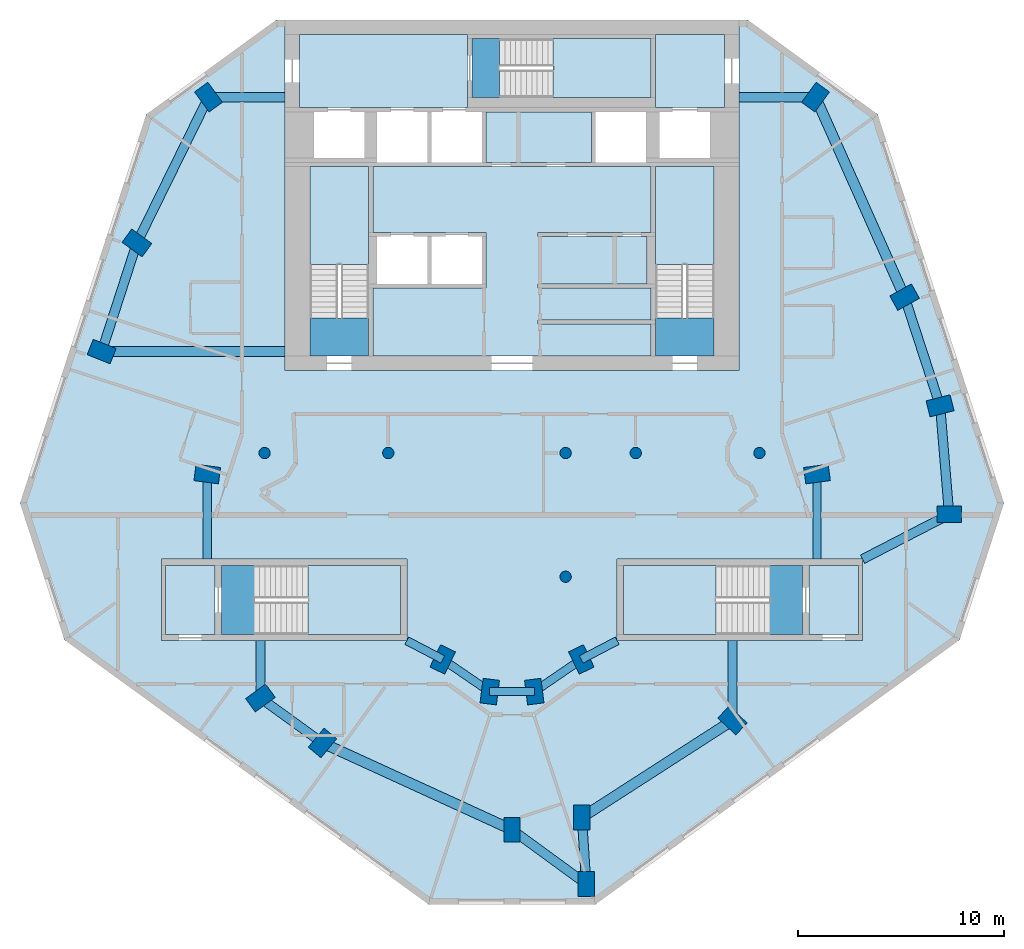
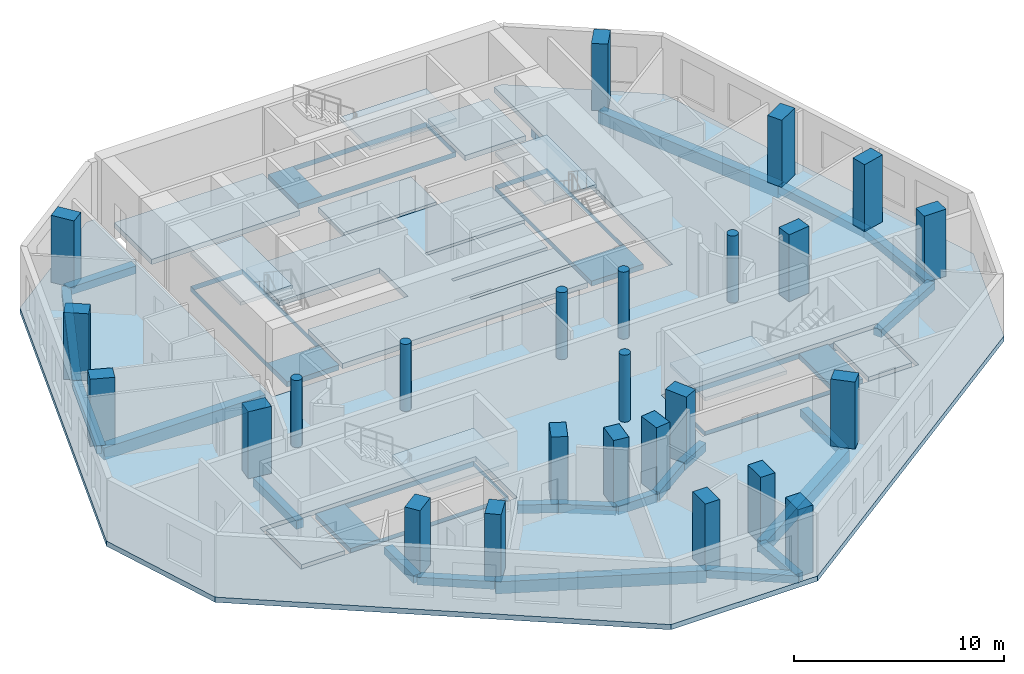
# One storey, part 1 of 9: 25 columns, 23 beams, 17 slabs, 5 elements without a shape of their own.
"""IFC4 building model written with IfcOpenShell, lengths in metres."""

import ifcopenshell
import ifcopenshell.guid

model = None  # the IFC model being written
_history = None  # IfcOwnerHistory: only IFC2X3 demands one
_inside = {}  # id of a spatial element -> (the spatial element, [elements in it])
_under = {}  # id of a project, library or spatial element -> (it, [spatial elements below it])
_declared = {}  # id of a project -> (the project, [libraries it declares])
_typed = {}  # id of a type object -> (the type object, [elements of that type])
_made_of = {}  # id of a material, layer set ... -> (it, [elements and type objects made of it])


def new_model(schema):
    """Start an empty IFC model of exactly this schema.

    Asked for "IFC4X3", IfcOpenShell would pick the latest addendum, in which some entities
    have other attributes; the version numbers below select the first issue.
    IFC2X3 requires an IfcOwnerHistory on every rooted entity: one is made here for all.
    """
    global model, _history
    if schema == "IFC4X3":
        model = ifcopenshell.file(schema_version=(4, 3, 0, 0))
    else:
        model = ifcopenshell.file(schema=schema)
    _inside.clear()
    _under.clear()
    _declared.clear()
    _typed.clear()
    _made_of.clear()
    _history = None
    if model.schema == "IFC2X3":
        org = make("IfcOrganization", Name="unknown")
        user = make(
            "IfcPersonAndOrganization",
            ThePerson=make("IfcPerson", FamilyName="unknown"),
            TheOrganization=org,
        )
        app = make(
            "IfcApplication",
            ApplicationDeveloper=org,
            Version="unknown",
            ApplicationFullName="unknown",
            ApplicationIdentifier="unknown",
        )
        _history = make(
            "IfcOwnerHistory",
            OwningUser=user,
            OwningApplication=app,
            ChangeAction="ADDED",
            CreationDate=0,
        )
    return model


def make(cls, **values):
    """One entity of the class cls with the attributes given. An attribute that is None is left unset."""
    return model.create_entity(
        cls, **{name: value for name, value in values.items() if value is not None}
    )


def rooted(cls, **values):
    """An entity with a GlobalId (a new one), such as an element, a storey or a relation."""
    return make(cls, GlobalId=ifcopenshell.guid.new(), OwnerHistory=_history, **values)


def si_unit(unit_type, name, prefix=None):
    """IfcSIUnit, for example si_unit("LENGTHUNIT", "METRE", prefix="MILLI")."""
    return make("IfcSIUnit", UnitType=unit_type, Prefix=prefix, Name=name)


def assignment(units):
    """IfcUnitAssignment: the units of a project."""
    return None if units is None else make("IfcUnitAssignment", Units=units)


def point(xyz):
    """IfcCartesianPoint."""
    return None if xyz is None else make("IfcCartesianPoint", Coordinates=xyz)


def direction(xyz):
    """IfcDirection."""
    return None if xyz is None else make("IfcDirection", DirectionRatios=xyz)


def frame(location, z_axis=None, x_axis=None):
    """IfcAxis2Placement3D, a coordinate frame: its origin and axes. An axis left out is left unset."""
    return make(
        "IfcAxis2Placement3D",
        Location=point(location),
        Axis=direction(z_axis),
        RefDirection=direction(x_axis),
    )


def frame_2d(location, x_axis=None):
    """IfcAxis2Placement2D, a coordinate frame in the plane: its origin and x axis."""
    return make(
        "IfcAxis2Placement2D", Location=point(location), RefDirection=direction(x_axis)
    )


def origin():
    """The frame at (0, 0, 0) with its axes left unset."""
    return frame((0.0, 0.0, 0.0))


def origin_2d():
    """The frame at (0, 0) in the plane with its x axis left unset."""
    return frame_2d((0.0, 0.0))


def place(relative_to, where):
    """IfcLocalPlacement: puts the frame where relative to a parent placement (None: the world)."""
    return make(
        "IfcLocalPlacement", PlacementRelTo=relative_to, RelativePlacement=where
    )


def context(
    kind, dimensions, precision=None, world=None, true_north=None, identifier=None
):
    """IfcGeometricRepresentationContext, for example the 3D "Model" context."""
    return make(
        "IfcGeometricRepresentationContext",
        ContextIdentifier=identifier,
        ContextType=kind,
        CoordinateSpaceDimension=dimensions,
        Precision=precision,
        WorldCoordinateSystem=world,
        TrueNorth=true_north,
    )


def subcontext(parent, identifier, kind, view, scale=None):
    """IfcGeometricRepresentationSubContext, for example "Body" below "Model"."""
    return make(
        "IfcGeometricRepresentationSubContext",
        ContextIdentifier=identifier,
        ContextType=kind,
        ParentContext=parent,
        TargetScale=scale,
        TargetView=view,
    )


def project(units=None, contexts=None):
    """IfcProject with its units and contexts."""
    return rooted(
        "IfcProject",
        Name="project",
        RepresentationContexts=contexts,
        UnitsInContext=assignment(units),
    )


def spatial(cls, under=None, at=None, **own):
    """A site, building, storey or space (cls), placed at a placement, below another one or the project."""
    s = rooted(cls, ObjectPlacement=at, **own)
    if under is not None:
        _under.setdefault(under.id(), (under, []))[1].append(s)
    return s


def polyline(points):
    """IfcPolyline through the points."""
    return make("IfcPolyline", Points=[point(p) for p in points])


def profile(cls, at=None, kind="AREA", **sizes):
    """A parametric profile (cls). Its sizes go by their IFC names, for example OverallWidth=200.0."""
    return make(cls, ProfileType=kind, Position=at, **sizes)


def rectangle(**sizes):
    """IfcRectangleProfileDef."""
    return profile("IfcRectangleProfileDef", **sizes)


def circle(**sizes):
    """IfcCircleProfileDef."""
    return profile("IfcCircleProfileDef", **sizes)


def outline(outer, holes=None, kind="AREA"):
    """IfcArbitraryClosedProfileDef: a profile drawn as a closed curve; with holes, ...WithVoids."""
    if holes is None:
        return make("IfcArbitraryClosedProfileDef", ProfileType=kind, OuterCurve=outer)
    return make(
        "IfcArbitraryProfileDefWithVoids",
        ProfileType=kind,
        OuterCurve=outer,
        InnerCurves=holes,
    )


def extrude(swept, where, along, depth):
    """IfcExtrudedAreaSolid: the profile swept, set in the frame where, extruded along a direction by depth."""
    return make(
        "IfcExtrudedAreaSolid",
        SweptArea=swept,
        Position=where,
        ExtrudedDirection=direction(along),
        Depth=depth,
    )


def shape(context_of_items, identifier, shape_type, items):
    """IfcShapeRepresentation: the items that make up one representation, for example the "Body"."""
    return make(
        "IfcShapeRepresentation",
        ContextOfItems=context_of_items,
        RepresentationIdentifier=identifier,
        RepresentationType=shape_type,
        Items=items,
    )


def material(Name=None, Category=None):
    """IfcMaterial."""
    return make("IfcMaterial", Name=Name, Category=Category)


def layer(
    of_material, thickness, ventilated=None, Name=None, Category=None, Priority=None
):
    """IfcMaterialLayer: one layer of a wall or slab, of a material (None: an air gap)."""
    return make(
        "IfcMaterialLayer",
        Material=of_material,
        LayerThickness=thickness,
        IsVentilated=ventilated,
        Name=Name,
        Category=Category,
        Priority=Priority,
    )


def layer_set(layers, Name=None):
    """IfcMaterialLayerSet."""
    return make("IfcMaterialLayerSet", MaterialLayers=layers, LayerSetName=Name)


def material_profile(
    of_material, cross_section, Name=None, Category=None, Priority=None
):
    """IfcMaterialProfile: a cross section and its material."""
    return make(
        "IfcMaterialProfile",
        Name=Name,
        Material=of_material,
        Profile=cross_section,
        Priority=Priority,
        Category=Category,
    )


def profile_set(profiles, Name=None, composite=None):
    """IfcMaterialProfileSet."""
    return make(
        "IfcMaterialProfileSet",
        Name=Name,
        MaterialProfiles=profiles,
        CompositeProfile=composite,
    )


def made_of(thing, what):
    """Note that an element or type object is made of a material, layer set ...; save() writes the relation."""
    if what is not None:
        _made_of.setdefault(what.id(), (what, []))[1].append(thing)
    return thing


def type_object(cls, material=None, **own):
    """A type object (cls), such as IfcWallType, which elements share."""
    return made_of(rooted(cls, **own), material)


def element(
    cls,
    number,
    at=None,
    inside=None,
    cuts=None,
    type_object=None,
    material=None,
    context=None,
    identifier="Body",
    shape_type=None,
    held_by="IfcProductDefinitionShape",
    body=None,
    shapes=None,
    **own,
):
    """One element of the class cls, such as IfcWall. Its Tag is "e" and its number.

    at: its placement. inside: the storey or other place that contains it. cuts: it is an
    opening in that element (IfcRelVoidsElement). A single representation is given by context,
    identifier, shape_type and body (its items); several are given by shapes. held_by: the class
    of the entity that holds the representations. save() writes the other relations.
    """
    e = rooted(cls, Tag="e%d" % number, ObjectPlacement=at, **own)
    if body is not None:
        shapes = [shape(context, identifier, shape_type, body)]
    if shapes is not None:
        e.Representation = make(held_by, Representations=shapes)
    if inside is not None:
        _inside.setdefault(inside.id(), (inside, []))[1].append(e)
    if cuts is not None:
        rooted(
            "IfcRelVoidsElement", RelatingBuildingElement=cuts, RelatedOpeningElement=e
        )
    if type_object is not None:
        _typed.setdefault(type_object.id(), (type_object, []))[1].append(e)
    return made_of(e, material)


def aggregate(whole, parts):
    """IfcRelAggregates: a whole, such as a stair, and the parts it consists of."""
    return rooted("IfcRelAggregates", RelatingObject=whole, RelatedObjects=parts)


def save(model, path):
    """Write the relations noted so far, then the file.

    IfcRelAggregates (storeys below a building ...), IfcRelContainedInSpatialStructure (elements
    in a storey), IfcRelDefinesByType, IfcRelAssociatesMaterial and IfcRelDeclares: one each for
    every whole, place, type object, material and project.
    """
    for whole, parts in _under.values():
        aggregate(whole, parts)
    for where, things in _inside.values():
        rooted(
            "IfcRelContainedInSpatialStructure",
            RelatedElements=things,
            RelatingStructure=where,
        )
    for kind, things in _typed.values():
        rooted("IfcRelDefinesByType", RelatedObjects=things, RelatingType=kind)
    for what, things in _made_of.values():
        rooted("IfcRelAssociatesMaterial", RelatedObjects=things, RelatingMaterial=what)
    for by, libraries in _declared.values():
        rooted("IfcRelDeclares", RelatingContext=by, RelatedDefinitions=libraries)
    model.write(path)


model = new_model("IFC4")

# Units and contexts
model_context = context("Model", 3, precision=1e-05, world=origin(), true_north=direction((0.0, 1.0)))
body_context = subcontext(model_context, "Body", "Model", "MODEL_VIEW")
ifc_project = project(units=[si_unit("LENGTHUNIT", "METRE"), si_unit("AREAUNIT", "SQUARE_METRE"), si_unit("VOLUMEUNIT", "CUBIC_METRE"), si_unit("PLANEANGLEUNIT", "RADIAN"), si_unit("MASSUNIT", "GRAM", prefix="KILO")], contexts=[model_context])

# Site, building, storey
site_placement = place(None, origin())
site = spatial("IfcSite", under=ifc_project, at=site_placement, CompositionType="ELEMENT")
building_placement = place(site_placement, origin())
building = spatial("IfcBuilding", under=site, at=building_placement, Name="White Candle Pilgrim Tower", CompositionType="ELEMENT")
storey_placement = place(building_placement, frame((0.0, 0.0, 252.199951171875)))
storey = spatial("IfcBuildingStorey", under=building, at=storey_placement, Name="L59", CompositionType="ELEMENT", Elevation=252.199951171875)

# Columns
ifc_material_1 = material(Name="Concrete C60/75", Category="concrete")
ifc_material_profile_1 = material_profile(ifc_material_1, circle(Radius=0.27490234375, at=origin_2d()), Name="RC-COL D550")
ifc_profile_set_1 = profile_set([ifc_material_profile_1], Name="Concrete C60/75")
column_type_1 = type_object("IfcColumnType", Name="Interior column RC-COL D550 C60/75", PredefinedType="COLUMN", material=ifc_profile_set_1)
for number, where, z_axis, x_axis, name in (
    (1, (58.0, 67.0, 0.0), (0.0, 0.0, 1.0), (1.0, 0.0, 0.0), "L59 column I01"),
    (2, (64.0, 67.0, 0.0), (0.0, 0.0, 1.0), (1.0, 0.0, 0.0), "L59 column I02"),
    (3, (72.60009765625, 61.0, 0.0), (0.0, 0.0, 1.0), (1.0, 0.0, 0.0), "L59 column I03"),
    (4, (72.60009765625, 67.0, 0.0), (0.0, 0.0, 1.0), (1.0, 0.0, 0.0), "L59 column I04"),
    (5, (76.0, 67.0, 0.0), (0.0, 0.0, 1.0), (1.0, 0.0, 0.0), "L59 column I05"),
    (6, (82.0, 67.0, 0.0), (0.0, 0.0, 1.0), (1.0, 0.0, 0.0), "L59 column I06"),
):
    element("IfcColumn", number, at=place(storey_placement, frame(where, z_axis=z_axis, x_axis=x_axis)), inside=storey, type_object=column_type_1, Name=name, PredefinedType="COLUMN", context=body_context, shape_type="SweptSolid", body=[
        extrude(circle(Radius=0.27490234375, at=origin_2d()), origin(), (0.0, 0.0, 1.0), 3.900146484375),
    ])
ifc_material_profile_2 = material_profile(ifc_material_1, rectangle(XDim=0.800048828125, YDim=1.199951171875, at=origin_2d()), Name="RC-PR 800x1200")
ifc_profile_set_2 = profile_set([ifc_material_profile_2], Name="Concrete C60/75")
column_type_2 = type_object("IfcColumnType", Name="Perimeter column RC-PR 800x1200 C60/75", PredefinedType="COLUMN", material=ifc_profile_set_2)
for number, where, z_axis, x_axis, name in (
    (7, (57.800048828125, 55.1201171875, 0.0), (0.0, 0.0, 1.0), (-0.58846280644, 0.808524288711, 0.0), "L59 column T01"),
    (8, (60.81005859375, 52.93994140625, 0.0), (0.0, 0.0, 1.0), (-0.769310358735, 0.638875239733, 0.0), "L59 column T02"),
    (9, (70.0, 48.72998046875, 0.0), (0.0, 0.0, 1.0), (-1.0, 0.0, 0.0), "L59 column T03"),
    (10, (73.60009765625, 46.10009765625, 0.0), (0.0, 0.0, 1.0), (-1.0, 0.0, 0.0), "L59 column T04"),
    (11, (73.389892578125, 49.330078125, 0.0), (0.0, 0.0, 1.0), (-1.0, 0.0, 0.0), "L59 column T05"),
    (12, (80.68994140625, 54.030029296875, 0.0), (0.0, 0.0, 1.0), (-0.681998360062, -0.731353701619, 0.0), "L59 column T06"),
    (13, (91.199951171875, 64.02001953125, 0.0), (0.0, 0.0, 1.0), (0.000855211229, -0.999999634307, 0.0), "L59 column T07"),
    (14, (90.760009765625, 69.2900390625, 0.0), (0.0, 0.0, 1.0), (0.246880623275, -0.969045900797, 0.0), "L59 column T08"),
    (15, (89.0400390625, 74.56005859375, 0.0), (0.0, 0.0, 1.0), (0.484809620246, -0.874619707139, 0.0), "L59 column T09"),
    (16, (84.719970703125, 84.260009765625, 0.0), (0.0, 0.0, 1.0), (0.80902725304, -0.587771132193, 0.0), "L59 column T10"),
    (17, (55.280029296875, 84.260009765625, 0.0), (0.0, 0.0, 1.0), (0.80902725304, 0.587771132193, 0.0), "L59 column T11"),
    (18, (51.81005859375, 77.18994140625, 0.0), (0.0, 0.0, 1.0), (0.587107285614, 0.809509132239, 0.0), "L59 column T12"),
    (19, (50.10009765625, 71.919921875, 0.0), (0.0, 0.0, 1.0), (0.369860269472, 0.929087391512, 0.0), "L59 column T13"),
):
    element("IfcColumn", number, at=place(storey_placement, frame(where, z_axis=z_axis, x_axis=x_axis)), inside=storey, type_object=column_type_2, Name=name, PredefinedType="COLUMN", context=body_context, shape_type="SweptSolid", body=[
        extrude(rectangle(XDim=0.800048828125, YDim=1.199951171875, at=origin_2d()), origin(), (0.0, 0.0, 1.0), 3.900146484375),
    ])
ifc_material_profile_3 = material_profile(ifc_material_1, rectangle(XDim=0.800048828125, YDim=1.199951171875, at=origin_2d()), Name="RC-PR 800x1200")
ifc_profile_set_3 = profile_set([ifc_material_profile_3], Name="Concrete C60/75")
column_type_3 = type_object("IfcColumnType", Name="Ring column RC-PR 800x1200 C60/75", PredefinedType="COLUMN", material=ifc_profile_set_3)
for number, where, z_axis, x_axis, name in (
    (20, (66.639892578125, 56.989990234375, 0.0), (0.0, 0.0, 1.0), (-0.901689191761, 0.43238478403, 0.0), "L59 column R01"),
    (21, (68.919921875, 55.429931640625, 0.0), (0.0, 0.0, 1.0), (-0.992092811428, 0.125506388335, 0.0), "L59 column R02"),
    (22, (71.080078125, 55.429931640625, 0.0), (0.0, 0.0, 1.0), (-0.992092811428, -0.125506388335, 0.0), "L59 column R03"),
    (23, (73.360107421875, 56.989990234375, 0.0), (0.0, 0.0, 1.0), (-0.901689191761, -0.43238478403, 0.0), "L59 column R04"),
    (24, (84.7900390625, 65.97998046875, 0.0), (0.0, 0.0, 1.0), (0.132602381688, -0.991169313675, 0.0), "L59 column R05"),
    (25, (55.219970703125, 65.97998046875, 0.0), (0.0, 0.0, 1.0), (0.132602381688, 0.991169313675, 0.0), "L59 column R06"),
):
    element("IfcColumn", number, at=place(storey_placement, frame(where, z_axis=z_axis, x_axis=x_axis)), inside=storey, type_object=column_type_3, Name=name, PredefinedType="COLUMN", context=body_context, shape_type="SweptSolid", body=[
        extrude(rectangle(XDim=0.800048828125, YDim=1.199951171875, at=origin_2d()), origin(), (0.0, 0.0, 1.0), 3.900146484375),
    ])

# Beams
ifc_material_2 = material(Name="Concrete C50/60", Category="concrete")
ifc_material_profile_4 = material_profile(ifc_material_2, rectangle(XDim=0.39990234375, YDim=0.5, at=origin_2d()), Name="RC-BM 400x500")
ifc_profile_set_4 = profile_set([ifc_material_profile_4], Name="Concrete C50/60")
beam_type_1 = type_object("IfcBeamType", Name="Ring beam RC-BM 400x500 C50/60", PredefinedType="BEAM", material=ifc_profile_set_4)
beam_1_placement = place(storey_placement, frame((66.639892578125, 56.989990234375, -0.550048828125), z_axis=(0.825300758392, -0.564693419651, 0.0), x_axis=(0.564693419651, 0.825300758392, 0.0)))
element("IfcBeam", 26, at=beam_1_placement, inside=storey, type_object=beam_type_1, Name="L59 ring beam R01", PredefinedType="BEAM", context=body_context, shape_type="SweptSolid", body=[
    extrude(rectangle(XDim=0.39990234375, YDim=0.5, at=origin_2d()), origin(), (0.0, 0.0, 1.0), 2.7626953125),
])
beam_2_placement = place(storey_placement, frame((68.919921875, 55.429931640625, -0.550048828125), z_axis=(1.0, 0.0, 0.0), x_axis=(0.0, 1.0, 0.0)))
element("IfcBeam", 27, at=beam_2_placement, inside=storey, type_object=beam_type_1, Name="L59 ring beam R02", PredefinedType="BEAM", context=body_context, shape_type="SweptSolid", body=[
    extrude(rectangle(XDim=0.39990234375, YDim=0.5, at=origin_2d()), origin(), (0.0, 0.0, 1.0), 2.16015625),
])
beam_3_placement = place(storey_placement, frame((71.080078125, 55.429931640625, -0.550048828125), z_axis=(0.825300758392, 0.564693419651, 0.0), x_axis=(-0.564693419651, 0.825300758392, 0.0)))
element("IfcBeam", 28, at=beam_3_placement, inside=storey, type_object=beam_type_1, Name="L59 ring beam R03", PredefinedType="BEAM", context=body_context, shape_type="SweptSolid", body=[
    extrude(rectangle(XDim=0.39990234375, YDim=0.5, at=origin_2d()), origin(), (0.0, 0.0, 1.0), 2.7626953125),
])
beam_4_placement = place(storey_placement, frame((73.360107421875, 56.989990234375, -0.550048828125), z_axis=(0.88614770213, 0.463402902461, 0.0), x_axis=(-0.463402902461, 0.88614770213, 0.0)))
element("IfcBeam", 29, at=beam_4_placement, inside=storey, type_object=beam_type_1, Name="L59 ring beam R04", PredefinedType="BEAM", context=body_context, shape_type="SweptSolid", body=[
    extrude(rectangle(XDim=0.39990234375, YDim=0.5, at=origin_2d()), origin(), (0.0, 0.0, 1.0), 1.963623046875),
])
for number, where, z_axis, x_axis, name in (
    (30, (84.7900390625, 65.97998046875, -0.550048828125), (0.0, -1.0, 0.0), (1.0, 0.0, 0.0), "L59 ring beam R05"),
    (31, (55.219970703125, 65.97998046875, -0.550048828125), (0.0, -1.0, 0.0), (1.0, 0.0, 0.0), "L59 ring beam R06"),
):
    element("IfcBeam", number, at=place(storey_placement, frame(where, z_axis=z_axis, x_axis=x_axis)), inside=storey, type_object=beam_type_1, Name=name, PredefinedType="BEAM", context=body_context, shape_type="SweptSolid", body=[
        extrude(rectangle(XDim=0.39990234375, YDim=0.5, at=origin_2d()), origin(), (0.0, 0.0, 1.0), 4.1298828125),
    ])
beam_5_placement = place(storey_placement, frame((66.639892578125, 56.989990234375, -0.550048828125), z_axis=(-0.88614770213, 0.463402902461, 0.0), x_axis=(-0.463402902461, -0.88614770213, 0.0)))
element("IfcBeam", 32, at=beam_5_placement, inside=storey, type_object=beam_type_1, Name="L59 ring beam R07", PredefinedType="BEAM", context=body_context, shape_type="SweptSolid", body=[
    extrude(rectangle(XDim=0.39990234375, YDim=0.5, at=origin_2d()), origin(), (0.0, 0.0, 1.0), 1.963623046875),
])
ifc_material_profile_5 = material_profile(ifc_material_2, rectangle(XDim=0.449951171875, YDim=0.449951171875, at=origin_2d()), Name="RC-BM 450x450")
ifc_profile_set_5 = profile_set([ifc_material_profile_5], Name="Concrete C50/60")
beam_type_2 = type_object("IfcBeamType", Name="Spandrel beam RC-BM 450x450 C50/60", PredefinedType="BEAM", material=ifc_profile_set_5)
beam_6_placement = place(storey_placement, frame((57.800048828125, 55.1201171875, -0.52490234375), z_axis=(0.80987647897, -0.586600450742, 0.0), x_axis=(0.586600450742, 0.80987647897, 0.0)))
element("IfcBeam", 33, at=beam_6_placement, inside=storey, type_object=beam_type_2, Name="L59 spandrel beam T01", PredefinedType="BEAM", context=body_context, shape_type="SweptSolid", body=[
    extrude(rectangle(XDim=0.449951171875, YDim=0.449951171875, at=origin_2d()), origin(), (0.0, 0.0, 1.0), 3.716552734375),
])
beam_7_placement = place(storey_placement, frame((70.0, 48.72998046875, -0.52490234375), z_axis=(0.807493448789, -0.589876538068, 0.0), x_axis=(0.589876538068, 0.807493448789, 0.0)))
element("IfcBeam", 34, at=beam_7_placement, inside=storey, type_object=beam_type_2, Name="L59 spandrel beam T03", PredefinedType="BEAM", context=body_context, shape_type="SweptSolid", body=[
    extrude(rectangle(XDim=0.449951171875, YDim=0.449951171875, at=origin_2d()), origin(), (0.0, 0.0, 1.0), 4.458251953125),
])
beam_8_placement = place(storey_placement, frame((73.60009765625, 46.10009765625, -0.52490234375), z_axis=(-0.064941985221, 0.997889041204, 0.0), x_axis=(-0.997889041204, -0.064941985221, 0.0)))
element("IfcBeam", 35, at=beam_8_placement, inside=storey, type_object=beam_type_2, Name="L59 spandrel beam T04", PredefinedType="BEAM", context=body_context, shape_type="SweptSolid", body=[
    extrude(rectangle(XDim=0.449951171875, YDim=0.449951171875, at=origin_2d()), origin(), (0.0, 0.0, 1.0), 3.23681640625),
])
beam_9_placement = place(storey_placement, frame((80.68994140625, 54.030029296875, -0.52490234375), z_axis=(0.0, 1.0, 0.0), x_axis=(-1.0, 0.0, 0.0)))
element("IfcBeam", 36, at=beam_9_placement, inside=storey, type_object=beam_type_2, Name="L59 spandrel beam T06", PredefinedType="BEAM", context=body_context, shape_type="SweptSolid", body=[
    extrude(rectangle(XDim=0.449951171875, YDim=0.449951171875, at=origin_2d()), origin(), (0.0, 0.0, 1.0), 3.869873046875),
])
beam_10_placement = place(storey_placement, frame((91.199951171875, 64.02001953125, -0.52490234375), z_axis=(-0.888430469958, -0.459011219961, 0.0), x_axis=(0.459011219961, -0.888430469958, 0.0)))
element("IfcBeam", 37, at=beam_10_placement, inside=storey, type_object=beam_type_2, Name="L59 spandrel beam T07", PredefinedType="BEAM", context=body_context, shape_type="SweptSolid", body=[
    extrude(rectangle(XDim=0.449951171875, YDim=0.449951171875, at=origin_2d()), origin(), (0.0, 0.0, 1.0), 4.727294921875),
])
beam_11_placement = place(storey_placement, frame((91.199951171875, 64.02001953125, -0.52490234375), z_axis=(-0.083190662263, 0.996533649062, 0.0), x_axis=(-0.996533649062, -0.083190662263, 0.0)))
element("IfcBeam", 38, at=beam_11_placement, inside=storey, type_object=beam_type_2, Name="L59 spandrel beam T08", PredefinedType="BEAM", context=body_context, shape_type="SweptSolid", body=[
    extrude(rectangle(XDim=0.449951171875, YDim=0.449951171875, at=origin_2d()), origin(), (0.0, 0.0, 1.0), 5.288330078125),
])
beam_12_placement = place(storey_placement, frame((90.760009765625, 69.2900390625, -0.52490234375), z_axis=(-0.310262895274, 0.950650795937, 0.0), x_axis=(-0.950650795937, -0.310262895274, 0.0)))
element("IfcBeam", 39, at=beam_12_placement, inside=storey, type_object=beam_type_2, Name="L59 spandrel beam T09", PredefinedType="BEAM", context=body_context, shape_type="SweptSolid", body=[
    extrude(rectangle(XDim=0.449951171875, YDim=0.449951171875, at=origin_2d()), origin(), (0.0, 0.0, 1.0), 5.543701171875),
])
for number, where, z_axis, x_axis, name in (
    (40, (84.719970703125, 84.260009765625, -0.52490234375), (-1.0, 0.0, 0.0), (0.0, -1.0, 0.0), "L59 spandrel beam T11"),
    (41, (55.280029296875, 84.260009765625, -0.52490234375), (1.0, 0.0, 0.0), (0.0, 1.0, 0.0), "L59 spandrel beam T12"),
):
    element("IfcBeam", number, at=place(storey_placement, frame(where, z_axis=z_axis, x_axis=x_axis)), inside=storey, type_object=beam_type_2, Name=name, PredefinedType="BEAM", context=body_context, shape_type="SweptSolid", body=[
        extrude(rectangle(XDim=0.449951171875, YDim=0.449951171875, at=origin_2d()), origin(), (0.0, 0.0, 1.0), 3.719970703125),
    ])
beam_13_placement = place(storey_placement, frame((55.280029296875, 84.260009765625, -0.52490234375), z_axis=(-0.440592346375, -0.897707293229, 0.0), x_axis=(0.897707293229, -0.440592346375, 0.0)))
element("IfcBeam", 42, at=beam_13_placement, inside=storey, type_object=beam_type_2, Name="L59 spandrel beam T13", PredefinedType="BEAM", context=body_context, shape_type="SweptSolid", body=[
    extrude(rectangle(XDim=0.449951171875, YDim=0.449951171875, at=origin_2d()), origin(), (0.0, 0.0, 1.0), 7.875732421875),
])
beam_14_placement = place(storey_placement, frame((51.81005859375, 77.18994140625, -0.52490234375), z_axis=(-0.308629696049, -0.951182269976, 0.0), x_axis=(0.951182269976, -0.308629696049, 0.0)))
element("IfcBeam", 43, at=beam_14_placement, inside=storey, type_object=beam_type_2, Name="L59 spandrel beam T14", PredefinedType="BEAM", context=body_context, shape_type="SweptSolid", body=[
    extrude(rectangle(XDim=0.449951171875, YDim=0.449951171875, at=origin_2d()), origin(), (0.0, 0.0, 1.0), 5.54052734375),
])
beam_15_placement = place(storey_placement, frame((57.800048828125, 55.1201171875, -0.52490234375), z_axis=(0.0, 1.0, 0.0), x_axis=(-1.0, 0.0, 0.0)))
element("IfcBeam", 44, at=beam_15_placement, inside=storey, type_object=beam_type_2, Name="L59 spandrel beam T16", PredefinedType="BEAM", context=body_context, shape_type="SweptSolid", body=[
    extrude(rectangle(XDim=0.449951171875, YDim=0.449951171875, at=origin_2d()), origin(), (0.0, 0.0, 1.0), 2.77978515625),
])
ifc_material_profile_6 = material_profile(ifc_material_2, rectangle(XDim=0.5, YDim=0.699951171875, at=origin_2d()), Name="RC-BM 500x700")
ifc_profile_set_6 = profile_set([ifc_material_profile_6], Name="Concrete C50/60")
beam_type_3 = type_object("IfcBeamType", Name="Spandrel beam RC-BM 500x700 C50/60", PredefinedType="BEAM", material=ifc_profile_set_6)
beam_16_placement = place(storey_placement, frame((60.81005859375, 52.93994140625, -0.64990234375), z_axis=(0.909143327927, -0.416483384166, 0.0), x_axis=(0.416483384166, 0.909143327927, 0.0)))
element("IfcBeam", 45, at=beam_16_placement, inside=storey, type_object=beam_type_3, Name="L59 spandrel beam T02", PredefinedType="BEAM", context=body_context, shape_type="SweptSolid", body=[
    extrude(rectangle(XDim=0.5, YDim=0.699951171875, at=origin_2d()), origin(), (0.0, 0.0, 1.0), 10.1083984375),
])
beam_17_placement = place(storey_placement, frame((73.389892578125, 49.330078125, -0.64990234375), z_axis=(0.840808255193, 0.541333056444, 0.0), x_axis=(-0.541333056444, 0.840808255193, 0.0)))
element("IfcBeam", 46, at=beam_17_placement, inside=storey, type_object=beam_type_3, Name="L59 spandrel beam T05", PredefinedType="BEAM", context=body_context, shape_type="SweptSolid", body=[
    extrude(rectangle(XDim=0.5, YDim=0.699951171875, at=origin_2d()), origin(), (0.0, 0.0, 1.0), 8.68212890625),
])
beam_18_placement = place(storey_placement, frame((89.0400390625, 74.56005859375, -0.64990234375), z_axis=(-0.40684446171, 0.91349744607, 0.0), x_axis=(-0.91349744607, -0.40684446171, 0.0)))
element("IfcBeam", 47, at=beam_18_placement, inside=storey, type_object=beam_type_3, Name="L59 spandrel beam T10", PredefinedType="BEAM", context=body_context, shape_type="SweptSolid", body=[
    extrude(rectangle(XDim=0.5, YDim=0.699951171875, at=origin_2d()), origin(), (0.0, 0.0, 1.0), 10.618408203125),
])
beam_19_placement = place(storey_placement, frame((50.10009765625, 71.919921875, -0.64990234375), z_axis=(1.0, 0.0, 0.0), x_axis=(0.0, 1.0, 0.0)))
element("IfcBeam", 48, at=beam_19_placement, inside=storey, type_object=beam_type_3, Name="L59 spandrel beam T15", PredefinedType="BEAM", context=body_context, shape_type="SweptSolid", body=[
    extrude(rectangle(XDim=0.5, YDim=0.699951171875, at=origin_2d()), origin(), (0.0, 0.0, 1.0), 8.89990234375),
])

# Slabs
ifc_material_3 = material(Name="Concrete C40/50", Category="concrete")
ifc_layer_1 = layer(ifc_material_3, 0.300048828125)
ifc_layer_set_1 = layer_set([ifc_layer_1], Name="Core floor slab 300 mm Concrete C40/50")
slab_type_1 = type_object("IfcSlabType", Name="Core floor slab 300 mm Concrete C40/50", PredefinedType="FLOOR", material=ifc_layer_set_1)
slab_1_placement = place(storey_placement, frame((0.0, 0.0, -0.300048828125)))
element("IfcSlab", 49, at=slab_1_placement, inside=storey, type_object=slab_type_1, Name="CF-L59-01", PredefinedType="FLOOR", context=body_context, shape_type="SweptSolid", body=[
    extrude(outline(polyline([(55.60009765625, 58.199951171875), (53.199951171875, 58.199951171875), (53.199951171875, 61.550048828125), (55.60009765625, 61.550048828125), (55.60009765625, 58.199951171875)])), origin(), (0.0, 0.0, 1.0), 0.300048828125),
])
slab_2_placement = place(storey_placement, frame((0.0, 0.0, -0.300048828125)))
element("IfcSlab", 50, at=slab_2_placement, inside=storey, type_object=slab_type_1, Name="CF-L59-02", PredefinedType="FLOOR", context=body_context, shape_type="SweptSolid", body=[
    extrude(outline(polyline([(55.89990234375, 58.199951171875), (55.89990234375, 61.550048828125), (64.60009765625, 61.550048828125), (64.60009765625, 58.199951171875), (55.89990234375, 58.199951171875)]), holes=[polyline([(57.501953125, 61.548095703125), (57.501953125, 58.201904296875), (64.597900390625, 58.201904296875), (64.597900390625, 61.548095703125), (57.501953125, 61.548095703125)])]), origin(), (0.0, 0.0, 1.0), 0.300048828125),
])
slab_3_placement = place(storey_placement, frame((0.0, 0.0, -0.300048828125)))
element("IfcSlab", 51, at=slab_3_placement, inside=storey, type_object=slab_type_1, Name="CF-L59-03", PredefinedType="FLOOR", context=body_context, shape_type="SweptSolid", body=[
    extrude(outline(polyline([(75.39990234375, 58.199951171875), (75.39990234375, 61.550048828125), (84.10009765625, 61.550048828125), (84.10009765625, 58.199951171875), (75.39990234375, 58.199951171875)]), holes=[polyline([(82.498046875, 61.548095703125), (75.402099609375, 61.548095703125), (75.402099609375, 58.201904296875), (82.498046875, 58.201904296875), (82.498046875, 61.548095703125)])]), origin(), (0.0, 0.0, 1.0), 0.300048828125),
])
slab_4_placement = place(storey_placement, frame((0.0, 0.0, -0.300048828125)))
element("IfcSlab", 52, at=slab_4_placement, inside=storey, type_object=slab_type_1, Name="CF-L59-04", PredefinedType="FLOOR", context=body_context, shape_type="SweptSolid", body=[
    extrude(outline(polyline([(86.800048828125, 58.199951171875), (84.39990234375, 58.199951171875), (84.39990234375, 61.550048828125), (86.800048828125, 61.550048828125), (86.800048828125, 58.199951171875)])), origin(), (0.0, 0.0, 1.0), 0.300048828125),
])
slab_5_placement = place(storey_placement, frame((0.0, 0.0, -0.300048828125)))
element("IfcSlab", 53, at=slab_5_placement, inside=storey, type_object=slab_type_1, Name="CF-L59-05", PredefinedType="FLOOR", context=body_context, shape_type="SweptSolid", body=[
    extrude(outline(polyline([(76.949951171875, 71.699951171875), (76.949951171875, 73.25), (76.949951171875, 73.449951171875), (76.949951171875, 75.0), (76.949951171875, 75.199951171875), (76.949951171875, 77.5), (76.949951171875, 77.699951171875), (76.949951171875, 80.89990234375), (79.800048828125, 80.89990234375), (79.800048828125, 71.699951171875), (76.949951171875, 71.699951171875)]), holes=[polyline([(76.951904296875, 73.552001953125), (79.798095703125, 73.552001953125), (79.798095703125, 80.89794921875), (76.951904296875, 80.89794921875), (76.951904296875, 73.552001953125)])]), origin(), (0.0, 0.0, 1.0), 0.300048828125),
])
slab_6_placement = place(storey_placement, frame((0.0, 0.0, -0.300048828125)))
element("IfcSlab", 54, at=slab_6_placement, inside=storey, type_object=slab_type_1, Name="CF-L59-06", PredefinedType="FLOOR", context=body_context, shape_type="SweptSolid", body=[
    extrude(outline(polyline([(63.25, 71.699951171875), (63.25, 75.0), (68.75, 75.0), (68.75, 75.199951171875), (68.75, 77.5), (68.75, 77.699951171875), (63.25, 77.699951171875), (63.25, 80.89990234375), (76.75, 80.89990234375), (76.75, 77.699951171875), (71.25, 77.699951171875), (71.25, 77.5), (76.550048828125, 77.5), (76.550048828125, 75.199951171875), (71.25, 75.199951171875), (71.25, 75.0), (76.75, 75.0), (76.75, 73.449951171875), (71.25, 73.449951171875), (71.25, 73.25), (76.75, 73.25), (76.75, 71.699951171875), (63.25, 71.699951171875)])), origin(), (0.0, 0.0, 1.0), 0.300048828125),
])
slab_7_placement = place(storey_placement, frame((0.0, 0.0, -0.300048828125)))
element("IfcSlab", 55, at=slab_7_placement, inside=storey, type_object=slab_type_1, Name="CF-L59-07", PredefinedType="FLOOR", context=body_context, shape_type="SweptSolid", body=[
    extrude(outline(polyline([(60.199951171875, 71.699951171875), (60.199951171875, 80.89990234375), (63.050048828125, 80.89990234375), (63.050048828125, 77.699951171875), (63.050048828125, 77.5), (63.050048828125, 75.199951171875), (63.050048828125, 75.0), (63.050048828125, 71.699951171875), (60.199951171875, 71.699951171875)]), holes=[polyline([(60.201904296875, 73.552001953125), (63.048095703125, 73.552001953125), (63.048095703125, 80.89794921875), (60.201904296875, 80.89794921875), (60.201904296875, 73.552001953125)])]), origin(), (0.0, 0.0, 1.0), 0.300048828125),
])
slab_8_placement = place(storey_placement, frame((0.0, 0.0, -0.300048828125)))
element("IfcSlab", 56, at=slab_8_placement, inside=storey, type_object=slab_type_1, Name="CF-L59-08", PredefinedType="FLOOR", context=body_context, shape_type="SweptSolid", body=[
    extrude(outline(polyline([(59.699951171875, 87.300048828125), (67.85009765625, 87.300048828125), (67.85009765625, 87.10009765625), (67.85009765625, 84.25), (67.85009765625, 83.75), (59.699951171875, 83.75), (59.699951171875, 87.300048828125)])), origin(), (0.0, 0.0, 1.0), 0.300048828125),
])
slab_9_placement = place(storey_placement, frame((0.0, 0.0, -0.300048828125)))
element("IfcSlab", 57, at=slab_9_placement, inside=storey, type_object=slab_type_1, Name="CF-L59-09", PredefinedType="FLOOR", context=body_context, shape_type="SweptSolid", body=[
    extrude(outline(polyline([(80.300048828125, 87.300048828125), (80.300048828125, 83.75), (76.949951171875, 83.75), (76.949951171875, 84.25), (76.949951171875, 87.10009765625), (76.949951171875, 87.300048828125), (80.300048828125, 87.300048828125)])), origin(), (0.0, 0.0, 1.0), 0.300048828125),
])
slab_10_placement = place(storey_placement, frame((0.0, 0.0, -0.300048828125)))
element("IfcSlab", 58, at=slab_10_placement, inside=storey, type_object=slab_type_1, Name="CF-L59-10", PredefinedType="FLOOR", context=body_context, shape_type="SweptSolid", body=[
    extrude(outline(polyline([(68.75, 81.10009765625), (68.75, 83.550048828125), (73.85009765625, 83.550048828125), (73.85009765625, 81.10009765625), (68.75, 81.10009765625)])), origin(), (0.0, 0.0, 1.0), 0.300048828125),
])
slab_11_placement = place(storey_placement, frame((0.0, 0.0, -0.300048828125)))
element("IfcSlab", 59, at=slab_11_placement, inside=storey, type_object=slab_type_1, Name="CF-L59-11", PredefinedType="FLOOR", context=body_context, shape_type="SweptSolid", body=[
    extrude(outline(polyline([(68.050048828125, 87.10009765625), (76.75, 87.10009765625), (76.75, 84.25), (68.050048828125, 84.25), (68.050048828125, 87.10009765625)]), holes=[polyline([(69.402099609375, 84.251953125), (76.748046875, 84.251953125), (76.748046875, 87.097900390625), (69.402099609375, 87.097900390625), (69.402099609375, 84.251953125)])]), origin(), (0.0, 0.0, 1.0), 0.300048828125),
])
ifc_layer_2 = layer(ifc_material_3, 0.300048828125)
ifc_layer_set_2 = layer_set([ifc_layer_2], Name="Floor slab 300 REI 240")
slab_type_2 = type_object("IfcSlabType", Name="Floor slab 300 REI 240", PredefinedType="FLOOR", material=ifc_layer_set_2)
slab_12_placement = place(storey_placement, frame((0.0, 0.0, -0.300048828125)))
element("IfcSlab", 60, at=slab_12_placement, inside=storey, type_object=slab_type_2, Name="L59 floor slab", PredefinedType="FLOOR", context=body_context, shape_type="SweptSolid", body=[
    extrude(outline(polyline([(65.959228515625, 45.106689453125), (74.040771484375, 45.106689453125), (91.706298828125, 57.94140625), (93.85986328125, 64.569091796875), (87.73291015625, 83.42578125), (81.43701171875, 88.0), (81.0, 88.0), (81.0, 71.0), (59.0, 71.0), (59.0, 88.0), (58.56298828125, 88.0), (52.26708984375, 83.42578125), (46.14013671875, 64.569091796875), (48.293701171875, 57.94140625), (65.959228515625, 45.106689453125)]), holes=[polyline([(53.0, 57.89990234375), (53.0, 61.85009765625), (64.89990234375, 61.85009765625), (64.89990234375, 57.89990234375), (53.0, 57.89990234375)]), polyline([(75.10009765625, 57.89990234375), (75.10009765625, 61.85009765625), (87.0, 61.85009765625), (87.0, 57.89990234375), (75.10009765625, 57.89990234375)])]), origin(), (0.0, 0.0, 1.0), 0.300048828125),
])

# Stair, slab
stair_type_1 = type_object("IfcStairType", Name="Exit stair 1 flight width 1350 mm", PredefinedType="HALF_TURN_STAIR", material=ifc_material_3)
stair_1_placement = place(storey_placement, origin())
stair_1 = element("IfcStair", 61, at=stair_1_placement, inside=storey, type_object=stair_type_1, Name="L59 stair 1", PredefinedType="NOTDEFINED")
ifc_layer_3 = layer(ifc_material_3, 0.199951171875)
ifc_layer_set_3 = layer_set([ifc_layer_3], Name="Stair landing Concrete C40/50")
slab_type_3 = type_object("IfcSlabType", Name="Stair landing Concrete C40/50", PredefinedType="LANDING", material=ifc_layer_set_3)
slab_13_placement = place(storey_placement, frame((0.0, 0.0, 1.75)))
slab_13 = element("IfcSlab", 62, at=slab_13_placement, type_object=slab_type_3, Name="ST1 landing 1", PredefinedType="LANDING", context=body_context, shape_type="SweptSolid", body=[
    extrude(outline(polyline([(63.052001953125, 76.14794921875), (60.197998046875, 76.14794921875), (60.197998046875, 80.902099609375), (63.052001953125, 80.902099609375), (63.052001953125, 76.14794921875)])), origin(), (0.0, 0.0, 1.0), 0.199951171875),
])
aggregate(stair_1, [slab_13])

stair_type_2 = type_object("IfcStairType", Name="Exit stair 2 flight width 1350 mm", PredefinedType="HALF_TURN_STAIR", material=ifc_material_3)
stair_2_placement = place(storey_placement, origin())
stair_2 = element("IfcStair", 63, at=stair_2_placement, inside=storey, type_object=stair_type_2, Name="L59 stair 2", PredefinedType="NOTDEFINED")
slab_14_placement = place(storey_placement, frame((0.0, 0.0, 1.75)))
slab_14 = element("IfcSlab", 64, at=slab_14_placement, type_object=slab_type_3, Name="ST2 landing 1", PredefinedType="LANDING", context=body_context, shape_type="SweptSolid", body=[
    extrude(outline(polyline([(79.802001953125, 76.14794921875), (76.947998046875, 76.14794921875), (76.947998046875, 80.902099609375), (79.802001953125, 80.902099609375), (79.802001953125, 76.14794921875)])), origin(), (0.0, 0.0, 1.0), 0.199951171875),
])
aggregate(stair_2, [slab_14])

stair_type_3 = type_object("IfcStairType", Name="Exit stair 3 flight width 1350 mm", PredefinedType="HALF_TURN_STAIR", material=ifc_material_3)
stair_3_placement = place(storey_placement, origin())
stair_3 = element("IfcStair", 65, at=stair_3_placement, inside=storey, type_object=stair_type_3, Name="L59 stair 3", PredefinedType="NOTDEFINED")
slab_15_placement = place(storey_placement, frame((0.0, 0.0, 1.75)))
slab_15 = element("IfcSlab", 66, at=slab_15_placement, type_object=slab_type_3, Name="ST3 landing 1", PredefinedType="LANDING", context=body_context, shape_type="SweptSolid", body=[
    extrude(outline(polyline([(71.998046875, 84.248046875), (71.998046875, 87.10205078125), (76.751953125, 87.10205078125), (76.751953125, 84.248046875), (71.998046875, 84.248046875)])), origin(), (0.0, 0.0, 1.0), 0.199951171875),
])
aggregate(stair_3, [slab_15])

stair_type_4 = type_object("IfcStairType", Name="Exit stair 4 flight width 1600 mm", PredefinedType="HALF_TURN_STAIR", material=ifc_material_3)
stair_4_placement = place(storey_placement, origin())
stair_4 = element("IfcStair", 67, at=stair_4_placement, inside=storey, type_object=stair_type_4, Name="L59 stair 4", PredefinedType="NOTDEFINED")
slab_16_placement = place(storey_placement, frame((0.0, 0.0, 1.75)))
slab_16 = element("IfcSlab", 68, at=slab_16_placement, type_object=slab_type_3, Name="ST4 landing 1", PredefinedType="LANDING", context=body_context, shape_type="SweptSolid", body=[
    extrude(outline(polyline([(79.902099609375, 61.552001953125), (79.902099609375, 58.197998046875), (75.39794921875, 58.197998046875), (75.39794921875, 61.552001953125), (79.902099609375, 61.552001953125)])), origin(), (0.0, 0.0, 1.0), 0.199951171875),
])
aggregate(stair_4, [slab_16])

stair_type_5 = type_object("IfcStairType", Name="Exit stair 5 flight width 1600 mm", PredefinedType="HALF_TURN_STAIR", material=ifc_material_3)
stair_5_placement = place(storey_placement, origin())
stair_5 = element("IfcStair", 69, at=stair_5_placement, inside=storey, type_object=stair_type_5, Name="L59 stair 5", PredefinedType="NOTDEFINED")
slab_17_placement = place(storey_placement, frame((0.0, 0.0, 1.75)))
slab_17 = element("IfcSlab", 70, at=slab_17_placement, type_object=slab_type_3, Name="ST5 landing 1", PredefinedType="LANDING", context=body_context, shape_type="SweptSolid", body=[
    extrude(outline(polyline([(60.097900390625, 58.197998046875), (60.097900390625, 61.552001953125), (64.60205078125, 61.552001953125), (64.60205078125, 58.197998046875), (60.097900390625, 58.197998046875)])), origin(), (0.0, 0.0, 1.0), 0.199951171875),
])
aggregate(stair_5, [slab_17])

save(model, "model.ifc")
